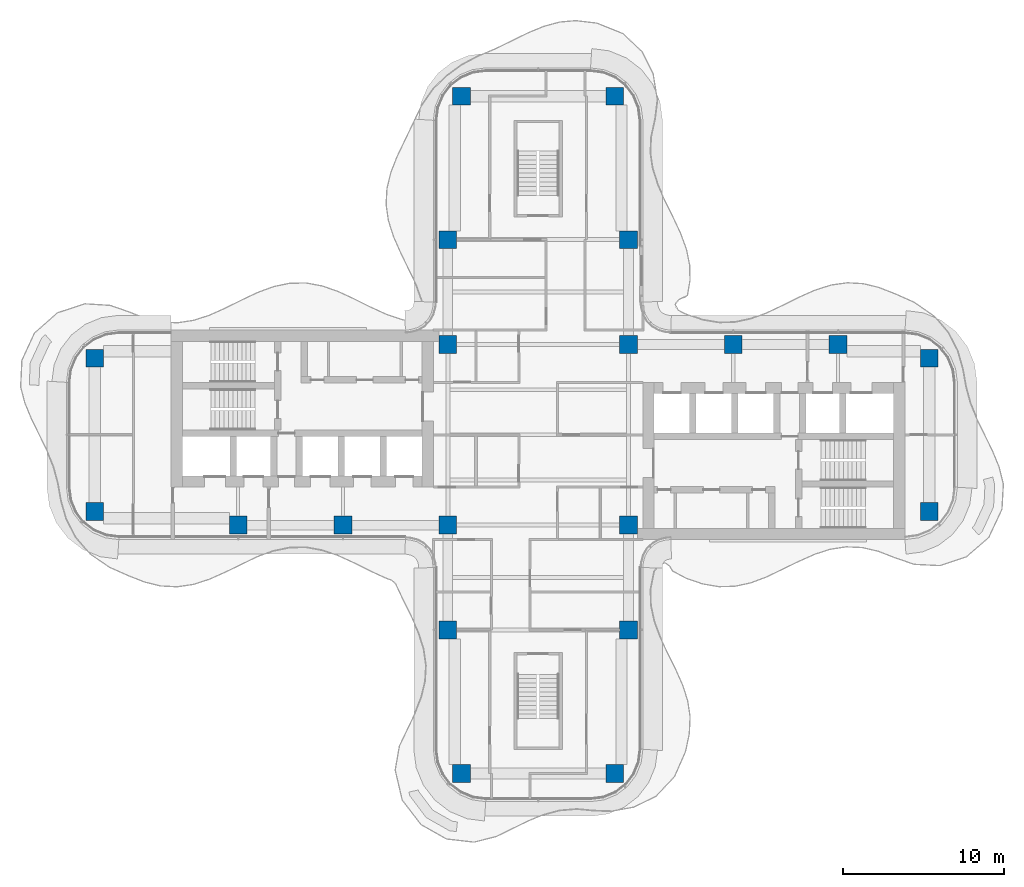
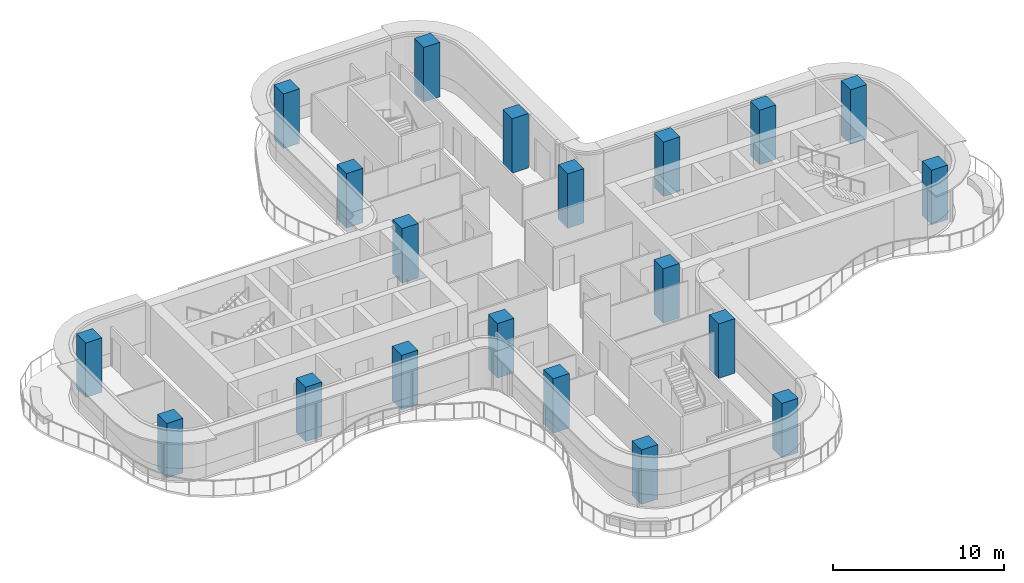
# One storey, part 1 of 17: 20 columns.
"""IFC4 building model written with IfcOpenShell, lengths in metres."""

import ifcopenshell
import ifcopenshell.guid

model = None  # the IFC model being written
_history = None  # IfcOwnerHistory: only IFC2X3 demands one
_inside = {}  # id of a spatial element -> (the spatial element, [elements in it])
_under = {}  # id of a project, library or spatial element -> (it, [spatial elements below it])
_declared = {}  # id of a project -> (the project, [libraries it declares])
_typed = {}  # id of a type object -> (the type object, [elements of that type])
_made_of = {}  # id of a material, layer set ... -> (it, [elements and type objects made of it])


def new_model(schema):
    """Start an empty IFC model of exactly this schema.

    Asked for "IFC4X3", IfcOpenShell would pick the latest addendum, in which some entities
    have other attributes; the version numbers below select the first issue.
    IFC2X3 requires an IfcOwnerHistory on every rooted entity: one is made here for all.
    """
    global model, _history
    if schema == "IFC4X3":
        model = ifcopenshell.file(schema_version=(4, 3, 0, 0))
    else:
        model = ifcopenshell.file(schema=schema)
    _inside.clear()
    _under.clear()
    _declared.clear()
    _typed.clear()
    _made_of.clear()
    _history = None
    if model.schema == "IFC2X3":
        org = make("IfcOrganization", Name="unknown")
        user = make(
            "IfcPersonAndOrganization",
            ThePerson=make("IfcPerson", FamilyName="unknown"),
            TheOrganization=org,
        )
        app = make(
            "IfcApplication",
            ApplicationDeveloper=org,
            Version="unknown",
            ApplicationFullName="unknown",
            ApplicationIdentifier="unknown",
        )
        _history = make(
            "IfcOwnerHistory",
            OwningUser=user,
            OwningApplication=app,
            ChangeAction="ADDED",
            CreationDate=0,
        )
    return model


def make(cls, **values):
    """One entity of the class cls with the attributes given. An attribute that is None is left unset."""
    return model.create_entity(
        cls, **{name: value for name, value in values.items() if value is not None}
    )


def rooted(cls, **values):
    """An entity with a GlobalId (a new one), such as an element, a storey or a relation."""
    return make(cls, GlobalId=ifcopenshell.guid.new(), OwnerHistory=_history, **values)


def si_unit(unit_type, name, prefix=None):
    """IfcSIUnit, for example si_unit("LENGTHUNIT", "METRE", prefix="MILLI")."""
    return make("IfcSIUnit", UnitType=unit_type, Prefix=prefix, Name=name)


def assignment(units):
    """IfcUnitAssignment: the units of a project."""
    return None if units is None else make("IfcUnitAssignment", Units=units)


def point(xyz):
    """IfcCartesianPoint."""
    return None if xyz is None else make("IfcCartesianPoint", Coordinates=xyz)


def direction(xyz):
    """IfcDirection."""
    return None if xyz is None else make("IfcDirection", DirectionRatios=xyz)


def frame(location, z_axis=None, x_axis=None):
    """IfcAxis2Placement3D, a coordinate frame: its origin and axes. An axis left out is left unset."""
    return make(
        "IfcAxis2Placement3D",
        Location=point(location),
        Axis=direction(z_axis),
        RefDirection=direction(x_axis),
    )


def frame_2d(location, x_axis=None):
    """IfcAxis2Placement2D, a coordinate frame in the plane: its origin and x axis."""
    return make(
        "IfcAxis2Placement2D", Location=point(location), RefDirection=direction(x_axis)
    )


def origin():
    """The frame at (0, 0, 0) with its axes left unset."""
    return frame((0.0, 0.0, 0.0))


def origin_2d():
    """The frame at (0, 0) in the plane with its x axis left unset."""
    return frame_2d((0.0, 0.0))


def place(relative_to, where):
    """IfcLocalPlacement: puts the frame where relative to a parent placement (None: the world)."""
    return make(
        "IfcLocalPlacement", PlacementRelTo=relative_to, RelativePlacement=where
    )


def context(
    kind, dimensions, precision=None, world=None, true_north=None, identifier=None
):
    """IfcGeometricRepresentationContext, for example the 3D "Model" context."""
    return make(
        "IfcGeometricRepresentationContext",
        ContextIdentifier=identifier,
        ContextType=kind,
        CoordinateSpaceDimension=dimensions,
        Precision=precision,
        WorldCoordinateSystem=world,
        TrueNorth=true_north,
    )


def subcontext(parent, identifier, kind, view, scale=None):
    """IfcGeometricRepresentationSubContext, for example "Body" below "Model"."""
    return make(
        "IfcGeometricRepresentationSubContext",
        ContextIdentifier=identifier,
        ContextType=kind,
        ParentContext=parent,
        TargetScale=scale,
        TargetView=view,
    )


def project(units=None, contexts=None):
    """IfcProject with its units and contexts."""
    return rooted(
        "IfcProject",
        Name="project",
        RepresentationContexts=contexts,
        UnitsInContext=assignment(units),
    )


def spatial(cls, under=None, at=None, **own):
    """A site, building, storey or space (cls), placed at a placement, below another one or the project."""
    s = rooted(cls, ObjectPlacement=at, **own)
    if under is not None:
        _under.setdefault(under.id(), (under, []))[1].append(s)
    return s


def profile(cls, at=None, kind="AREA", **sizes):
    """A parametric profile (cls). Its sizes go by their IFC names, for example OverallWidth=200.0."""
    return make(cls, ProfileType=kind, Position=at, **sizes)


def rectangle(**sizes):
    """IfcRectangleProfileDef."""
    return profile("IfcRectangleProfileDef", **sizes)


def extrude(swept, where, along, depth):
    """IfcExtrudedAreaSolid: the profile swept, set in the frame where, extruded along a direction by depth."""
    return make(
        "IfcExtrudedAreaSolid",
        SweptArea=swept,
        Position=where,
        ExtrudedDirection=direction(along),
        Depth=depth,
    )


def shape(context_of_items, identifier, shape_type, items):
    """IfcShapeRepresentation: the items that make up one representation, for example the "Body"."""
    return make(
        "IfcShapeRepresentation",
        ContextOfItems=context_of_items,
        RepresentationIdentifier=identifier,
        RepresentationType=shape_type,
        Items=items,
    )


def source(mapping_origin, context_of_items, identifier, shape_type, items):
    """IfcRepresentationMap: a shape defined once, which mapped items show again and again."""
    return make(
        "IfcRepresentationMap",
        MappingOrigin=mapping_origin,
        MappedRepresentation=shape(context_of_items, identifier, shape_type, items),
    )


def transform(
    local_origin,
    x_axis=None,
    y_axis=None,
    z_axis=None,
    scale=None,
    scale2=None,
    scale3=None,
    uniform=True,
):
    """IfcCartesianTransformationOperator3D, or its non-uniform kind. x_axis, y_axis, z_axis: its Axis1, 2, 3."""
    if uniform:
        return make(
            "IfcCartesianTransformationOperator3D",
            Axis1=direction(x_axis),
            Axis2=direction(y_axis),
            LocalOrigin=point(local_origin),
            Scale=scale,
            Axis3=direction(z_axis),
        )
    return make(
        "IfcCartesianTransformationOperator3DnonUniform",
        Axis1=direction(x_axis),
        Axis2=direction(y_axis),
        LocalOrigin=point(local_origin),
        Scale=scale,
        Axis3=direction(z_axis),
        Scale2=scale2,
        Scale3=scale3,
    )


def mapped(mapping_source, mapping_target):
    """IfcMappedItem: shows the shape of a source again, moved by a transform."""
    return make(
        "IfcMappedItem", MappingSource=mapping_source, MappingTarget=mapping_target
    )


def material(Name=None, Category=None):
    """IfcMaterial."""
    return make("IfcMaterial", Name=Name, Category=Category)


def material_profile(
    of_material, cross_section, Name=None, Category=None, Priority=None
):
    """IfcMaterialProfile: a cross section and its material."""
    return make(
        "IfcMaterialProfile",
        Name=Name,
        Material=of_material,
        Profile=cross_section,
        Priority=Priority,
        Category=Category,
    )


def profile_set(profiles, Name=None, composite=None):
    """IfcMaterialProfileSet."""
    return make(
        "IfcMaterialProfileSet",
        Name=Name,
        MaterialProfiles=profiles,
        CompositeProfile=composite,
    )


def made_of(thing, what):
    """Note that an element or type object is made of a material, layer set ...; save() writes the relation."""
    if what is not None:
        _made_of.setdefault(what.id(), (what, []))[1].append(thing)
    return thing


def type_object(cls, material=None, **own):
    """A type object (cls), such as IfcWallType, which elements share."""
    return made_of(rooted(cls, **own), material)


def element(
    cls,
    number,
    at=None,
    inside=None,
    cuts=None,
    type_object=None,
    material=None,
    context=None,
    identifier="Body",
    shape_type=None,
    held_by="IfcProductDefinitionShape",
    body=None,
    shapes=None,
    **own,
):
    """One element of the class cls, such as IfcWall. Its Tag is "e" and its number.

    at: its placement. inside: the storey or other place that contains it. cuts: it is an
    opening in that element (IfcRelVoidsElement). A single representation is given by context,
    identifier, shape_type and body (its items); several are given by shapes. held_by: the class
    of the entity that holds the representations. save() writes the other relations.
    """
    e = rooted(cls, Tag="e%d" % number, ObjectPlacement=at, **own)
    if body is not None:
        shapes = [shape(context, identifier, shape_type, body)]
    if shapes is not None:
        e.Representation = make(held_by, Representations=shapes)
    if inside is not None:
        _inside.setdefault(inside.id(), (inside, []))[1].append(e)
    if cuts is not None:
        rooted(
            "IfcRelVoidsElement", RelatingBuildingElement=cuts, RelatedOpeningElement=e
        )
    if type_object is not None:
        _typed.setdefault(type_object.id(), (type_object, []))[1].append(e)
    return made_of(e, material)


def aggregate(whole, parts):
    """IfcRelAggregates: a whole, such as a stair, and the parts it consists of."""
    return rooted("IfcRelAggregates", RelatingObject=whole, RelatedObjects=parts)


def save(model, path):
    """Write the relations noted so far, then the file.

    IfcRelAggregates (storeys below a building ...), IfcRelContainedInSpatialStructure (elements
    in a storey), IfcRelDefinesByType, IfcRelAssociatesMaterial and IfcRelDeclares: one each for
    every whole, place, type object, material and project.
    """
    for whole, parts in _under.values():
        aggregate(whole, parts)
    for where, things in _inside.values():
        rooted(
            "IfcRelContainedInSpatialStructure",
            RelatedElements=things,
            RelatingStructure=where,
        )
    for kind, things in _typed.values():
        rooted("IfcRelDefinesByType", RelatedObjects=things, RelatingType=kind)
    for what, things in _made_of.values():
        rooted("IfcRelAssociatesMaterial", RelatedObjects=things, RelatingMaterial=what)
    for by, libraries in _declared.values():
        rooted("IfcRelDeclares", RelatingContext=by, RelatedDefinitions=libraries)
    model.write(path)


model = new_model("IFC4")

# Units and contexts
model_context = context("Model", 3, precision=1e-05, world=origin(), true_north=direction((0.0, 1.0)))
body_context = subcontext(model_context, "Body", "Model", "MODEL_VIEW")
ifc_project = project(units=[si_unit("LENGTHUNIT", "METRE"), si_unit("AREAUNIT", "SQUARE_METRE"), si_unit("VOLUMEUNIT", "CUBIC_METRE"), si_unit("PLANEANGLEUNIT", "RADIAN"), si_unit("MASSUNIT", "GRAM", prefix="KILO")], contexts=[model_context])

# Site, building, storey
site_placement = place(None, origin())
site = spatial("IfcSite", under=ifc_project, at=site_placement, CompositionType="ELEMENT")
building_placement = place(site_placement, origin())
building = spatial("IfcBuilding", under=site, at=building_placement, Name="Trellis Farm Tower", CompositionType="ELEMENT")
storey_placement = place(building_placement, frame((0.0, 0.0, 259.699951171875)))
storey = spatial("IfcBuildingStorey", under=building, at=storey_placement, Name="L58", CompositionType="ELEMENT", Elevation=259.699951171875)

# Columns
ifc_material = material(Name="Concrete C60/75", Category="concrete")
ifc_material_profile = material_profile(ifc_material, rectangle(XDim=1.10009765625, YDim=1.10009765625, at=origin_2d()), Name="RC column 1100x1100 C60/75")
ifc_profile_set = profile_set([ifc_material_profile], Name="Concrete C60/75")
column_type = type_object("IfcColumnType", Name="RC column 1100x1100 C60/75", PredefinedType="COLUMN", material=ifc_profile_set)
shared_shape = source(origin(), body_context, "Body", "SweptSolid", [
    extrude(rectangle(XDim=1.10009765625, YDim=1.10009765625, at=origin_2d()), origin(), (0.0, 0.0, 1.0), 3.900146484375),
])
for number, where, z_axis, x_axis, name in (
    (1, (12.10009765625, 5.60009765625, 0.0), (0.0, 0.0, 1.0), (1.0, 0.0, 0.0), "Column"),
    (2, (18.60009765625, 5.60009765625, 0.0), (0.0, 0.0, 1.0), (1.0, 0.0, 0.0), "Column"),
    (3, (24.25, 4.75, 0.0), (0.0, 0.0, 1.0), (1.0, 0.0, 0.0), "Column"),
    (4, (24.25, -4.75, 0.0), (0.0, 0.0, 1.0), (1.0, 0.0, 0.0), "Column"),
    (5, (-5.60009765625, 12.10009765625, 0.0), (0.0, 0.0, 1.0), (1.0, 0.0, 0.0), "Column"),
    (6, (-4.75, 21.0, 0.0), (0.0, 0.0, 1.0), (1.0, 0.0, 0.0), "Column"),
    (7, (5.60009765625, 12.10009765625, 0.0), (0.0, 0.0, 1.0), (1.0, 0.0, 0.0), "Column"),
    (8, (4.75, 21.0, 0.0), (0.0, 0.0, 1.0), (1.0, 0.0, 0.0), "Column"),
    (9, (5.60009765625, 5.60009765625, 0.0), (0.0, 0.0, 1.0), (1.0, 0.0, 0.0), "Column"),
    (10, (-5.60009765625, 5.60009765625, 0.0), (0.0, 0.0, 1.0), (1.0, 0.0, 0.0), "Column"),
    (11, (5.60009765625, -5.60009765625, 0.0), (0.0, 0.0, 1.0), (1.0, 0.0, 0.0), "Column"),
    (12, (-5.60009765625, -5.60009765625, 0.0), (0.0, 0.0, 1.0), (1.0, 0.0, 0.0), "Column"),
    (13, (5.60009765625, -12.10009765625, 0.0), (0.0, 0.0, 1.0), (1.0, 0.0, 0.0), "Column"),
    (14, (4.75, -21.0, 0.0), (0.0, 0.0, 1.0), (1.0, 0.0, 0.0), "Column"),
    (15, (-5.60009765625, -12.10009765625, 0.0), (0.0, 0.0, 1.0), (1.0, 0.0, 0.0), "Column"),
    (16, (-4.75, -21.0, 0.0), (0.0, 0.0, 1.0), (1.0, 0.0, 0.0), "Column"),
    (17, (-12.10009765625, -5.60009765625, 0.0), (0.0, 0.0, 1.0), (1.0, 0.0, 0.0), "Column"),
    (18, (-18.60009765625, -5.60009765625, 0.0), (0.0, 0.0, 1.0), (1.0, 0.0, 0.0), "Column"),
    (19, (-27.5, -4.75, 0.0), (0.0, 0.0, 1.0), (1.0, 0.0, 0.0), "Column"),
    (20, (-27.5, 4.75, 0.0), (0.0, 0.0, 1.0), (1.0, 0.0, 0.0), "Column"),
):
    element("IfcColumn", number, at=place(storey_placement, frame(where, z_axis=z_axis, x_axis=x_axis)), inside=storey, type_object=column_type, Name=name, PredefinedType="COLUMN", context=body_context, shape_type="MappedRepresentation", body=[
        mapped(shared_shape, transform((0.0, 0.0, 0.0))),
    ])

save(model, "model.ifc")
